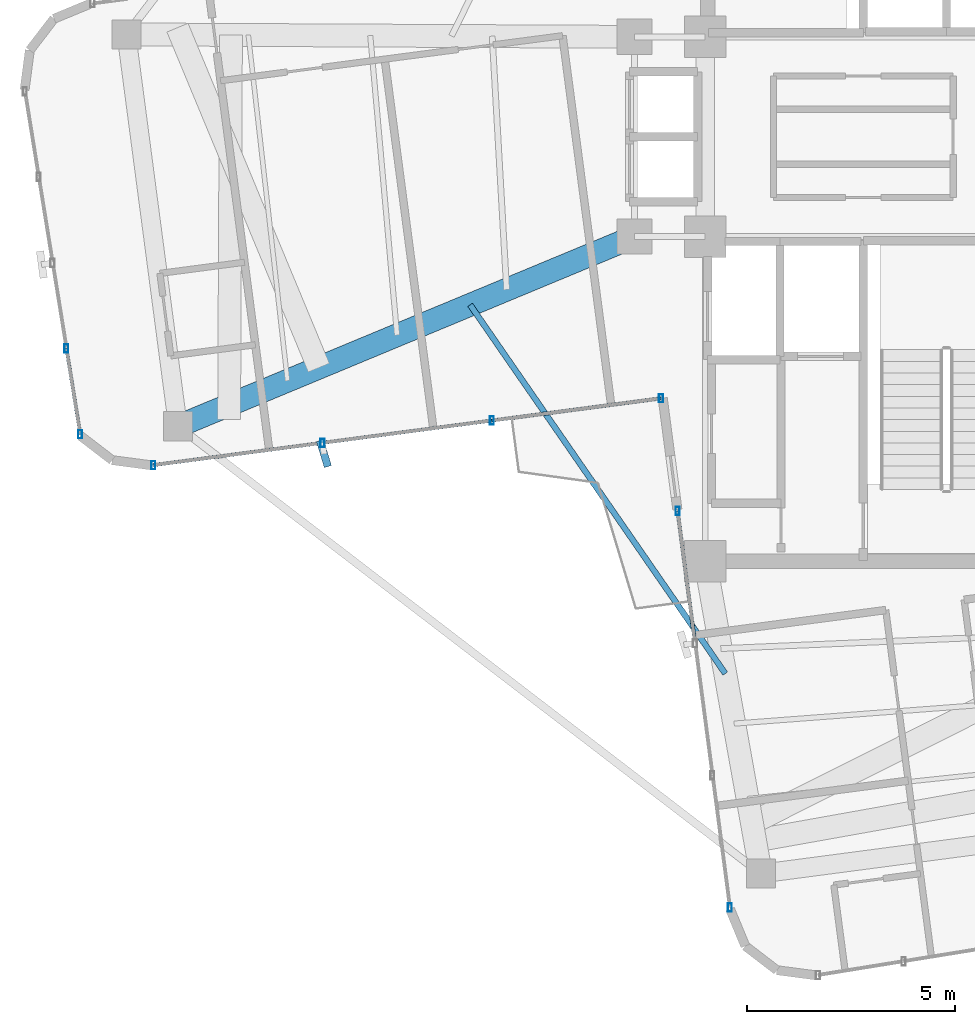
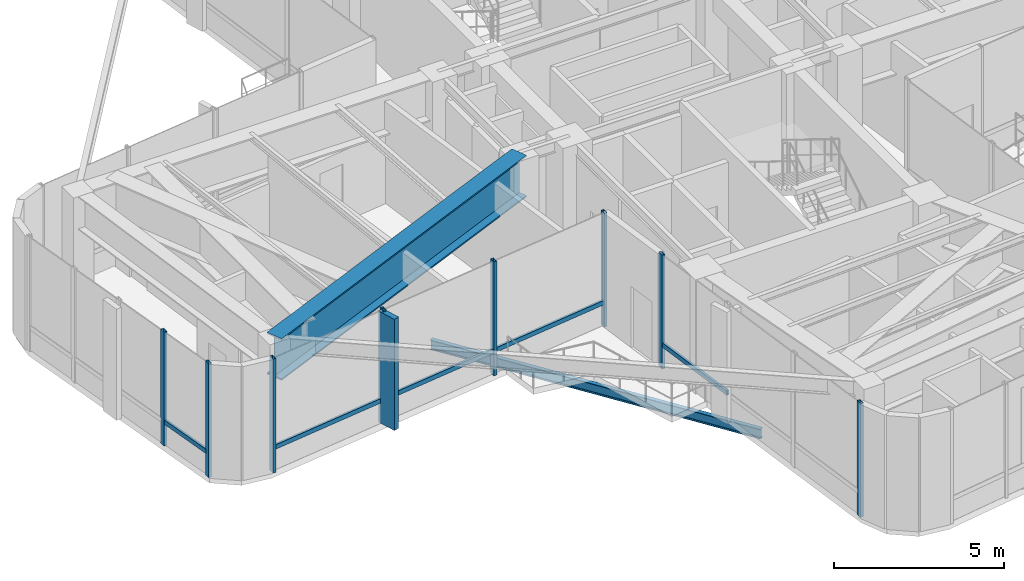
# One storey, part 2 of 18: 14 members, 2 beams, 3 elements without a shape of their own.
"""IFC4 building model written with IfcOpenShell, lengths in metres."""

from ifc_helpers import new_model, si_unit, direction, frame, origin, origin_2d, place, context, subcontext, project, spatial, rectangle, hollow_rectangle, i_section, extrude, source, transform, mapped, material, material_profile, profile_set, type_object, element, aggregate, save


model = new_model("IFC4")

# Units and contexts
model_context = context("Model", 3, precision=1e-05, world=origin(), true_north=direction((0.0, 1.0)))
body_context = subcontext(model_context, "Body", "Model", "MODEL_VIEW")
ifc_project = project(units=[si_unit("LENGTHUNIT", "METRE"), si_unit("AREAUNIT", "SQUARE_METRE"), si_unit("VOLUMEUNIT", "CUBIC_METRE"), si_unit("PLANEANGLEUNIT", "RADIAN"), si_unit("MASSUNIT", "GRAM", prefix="KILO")], contexts=[model_context])

# Site, building, storey
site_placement = place(None, origin())
site = spatial("IfcSite", under=ifc_project, at=site_placement, CompositionType="ELEMENT")
building_placement = place(site_placement, origin())
building = spatial("IfcBuilding", under=site, at=building_placement, Name="Sahyath Konkavel Grand Hotel", CompositionType="ELEMENT")
storey_placement = place(building_placement, frame((0.0, 0.0, 275.800048828125)))
storey = spatial("IfcBuildingStorey", under=building, at=storey_placement, Name="L77", CompositionType="ELEMENT", Elevation=275.800048828125)

# Beam
ifc_material_1 = material(Name="Steel E450", Category="steel")
ifc_material_profile_1 = material_profile(ifc_material_1, i_section(OverallWidth=0.550048828125, OverallDepth=1.5, WebThickness=0.028076171875, FlangeThickness=0.050048828125, at=origin_2d()), Name="BPG 1500x550")
ifc_profile_set_1 = profile_set([ifc_material_profile_1], Name="Steel E450")
beam_type_1 = type_object("IfcBeamType", Name="BM-BPG1500", PredefinedType="BEAM", material=ifc_profile_set_1)
shared_shape_1 = source(origin(), body_context, "Body", "SweptSolid", [
    extrude(i_section(OverallWidth=0.550048828125, OverallDepth=1.5, WebThickness=0.028076171875, FlangeThickness=0.050048828125, at=origin_2d()), origin(), (0.0, 0.0, 1.0), 11.882080078125),
])
beam_1_placement = place(storey_placement, frame((-5.5, -2.39990234375, 3.349853515625), z_axis=(-0.923435785797, -0.383752979804, 0.0), x_axis=(0.383752979804, -0.923435785797, 0.0)))
element("IfcBeam", 1, at=beam_1_placement, inside=storey, type_object=beam_type_1, Name="L77 Setback Transfer Girder WB", PredefinedType="BEAM", context=body_context, shape_type="MappedRepresentation", body=[
    mapped(shared_shape_1, transform((0.0, 0.0, 0.0), scale=1.0)),
])

# Curtain wall, members
ifc_material_2 = material(Name="Anodised Bronze Aluminium & Low-E Glazing", Category="aluminium")
curtain_wall_type = type_object("IfcCurtainWallType", Name="CW-ZONE4", PredefinedType="NOTDEFINED", material=ifc_material_2)
curtain_wall_1_placement = place(storey_placement, origin())
curtain_wall_1 = element("IfcCurtainWall", 2, at=curtain_wall_1_placement, inside=storey, type_object=curtain_wall_type, Name="L77 Unitised Curtain Wall F20", PredefinedType="NOTDEFINED")
ifc_material_3 = material(Name="Anodised Bronze Aluminium", Category="aluminium")
ifc_material_profile_2 = material_profile(ifc_material_3, hollow_rectangle(XDim=0.10009765625, YDim=0.199951171875, WallThickness=0.008056640625, at=origin_2d()), Name="RHS 200x100x8")
ifc_profile_set_2 = profile_set([ifc_material_profile_2], Name="Anodised Bronze Aluminium")
member_type_1 = type_object("IfcMemberType", Name="CW-MUL-200", PredefinedType="MULLION", material=ifc_profile_set_2)
shared_shape_2 = source(origin(), body_context, "Body", "SweptSolid", [
    extrude(hollow_rectangle(XDim=0.10009765625, YDim=0.199951171875, WallThickness=0.008056640625, at=origin_2d()), origin(), (0.0, 0.0, 1.0), 4.099853515625),
])
member_1_placement = place(storey_placement, frame((-19.15380859375, -5.09228515625, 0.0), z_axis=(0.0, 0.0, 1.0), x_axis=(1.0, 0.0, 0.0)))
member_1 = element("IfcMember", 3, at=member_1_placement, type_object=member_type_1, Name="L77 Curtain Wall Mullion F20-3", PredefinedType="MULLION", context=body_context, shape_type="MappedRepresentation", body=[
    mapped(shared_shape_2, transform((0.0, 0.0, 0.0), scale=1.0)),
])
member_2_placement = place(storey_placement, frame((-18.82080078125, -7.15283203125, 0.0), z_axis=(0.0, 0.0, 1.0), x_axis=(1.0, 0.0, 0.0)))
member_2 = element("IfcMember", 4, at=member_2_placement, type_object=member_type_1, Name="L77 Curtain Wall Mullion F20-4", PredefinedType="MULLION", context=body_context, shape_type="MappedRepresentation", body=[
    mapped(shared_shape_2, transform((0.0, 0.0, 0.0), scale=1.0)),
])

curtain_wall_2_placement = place(storey_placement, origin())
curtain_wall_2 = element("IfcCurtainWall", 5, at=curtain_wall_2_placement, inside=storey, type_object=curtain_wall_type, Name="L77 Unitised Curtain Wall F23", PredefinedType="NOTDEFINED")
member_3_placement = place(storey_placement, frame((-17.0654296875, -7.89501953125, 0.0), z_axis=(0.0, 0.0, 1.0), x_axis=(1.0, 0.0, 0.0)))
member_3 = element("IfcMember", 6, at=member_3_placement, type_object=member_type_1, Name="L77 Curtain Wall Mullion F23-0", PredefinedType="MULLION", context=body_context, shape_type="MappedRepresentation", body=[
    mapped(shared_shape_2, transform((0.0, 0.0, 0.0), scale=1.0)),
])
member_4_placement = place(storey_placement, frame((-12.997314453125, -7.359619140625, 0.0), z_axis=(0.0, 0.0, 1.0), x_axis=(1.0, 0.0, 0.0)))
member_4 = element("IfcMember", 7, at=member_4_placement, type_object=member_type_1, Name="L77 Curtain Wall Mullion F23-1", PredefinedType="MULLION", context=body_context, shape_type="MappedRepresentation", body=[
    mapped(shared_shape_2, transform((0.0, 0.0, 0.0), scale=1.0)),
])
member_5_placement = place(storey_placement, frame((-8.928955078125, -6.82373046875, 0.0), z_axis=(0.0, 0.0, 1.0), x_axis=(1.0, 0.0, 0.0)))
member_5 = element("IfcMember", 8, at=member_5_placement, type_object=member_type_1, Name="L77 Curtain Wall Mullion F23-2", PredefinedType="MULLION", context=body_context, shape_type="MappedRepresentation", body=[
    mapped(shared_shape_2, transform((0.0, 0.0, 0.0), scale=1.0)),
])
member_6_placement = place(storey_placement, frame((-4.86083984375, -6.2880859375, 0.0), z_axis=(0.0, 0.0, 1.0), x_axis=(1.0, 0.0, 0.0)))
member_6 = element("IfcMember", 9, at=member_6_placement, type_object=member_type_1, Name="L77 Curtain Wall Mullion F23-3", PredefinedType="MULLION", context=body_context, shape_type="MappedRepresentation", body=[
    mapped(shared_shape_2, transform((0.0, 0.0, 0.0), scale=1.0)),
])

curtain_wall_3_placement = place(storey_placement, origin())
curtain_wall_3 = element("IfcCurtainWall", 10, at=curtain_wall_3_placement, inside=storey, type_object=curtain_wall_type, Name="L77 Unitised Curtain Wall F24", PredefinedType="NOTDEFINED")
member_7_placement = place(storey_placement, frame((-4.46337890625, -8.99951171875, 0.0), z_axis=(0.0, 0.0, 1.0), x_axis=(1.0, 0.0, 0.0)))
member_7 = element("IfcMember", 11, at=member_7_placement, type_object=member_type_1, Name="L77 Curtain Wall Mullion F24-0", PredefinedType="MULLION", context=body_context, shape_type="MappedRepresentation", body=[
    mapped(shared_shape_2, transform((0.0, 0.0, 0.0), scale=1.0)),
])
member_8_placement = place(storey_placement, frame((-3.208984375, -18.52734375, 0.0), z_axis=(0.0, 0.0, 1.0), x_axis=(1.0, 0.0, 0.0)))
member_8 = element("IfcMember", 12, at=member_8_placement, type_object=member_type_1, Name="L77 Curtain Wall Mullion F24-3", PredefinedType="MULLION", context=body_context, shape_type="MappedRepresentation", body=[
    mapped(shared_shape_2, transform((0.0, 0.0, 0.0), scale=1.0)),
])

# Member
ifc_material_4 = material(Name="Warm Buff Sandstone Cladding on Concrete C50/60", Category="masonry")
ifc_material_profile_3 = material_profile(ifc_material_4, rectangle(XDim=0.179931640625, YDim=0.64990234375, at=origin_2d()), Name="FIN 180x650")
ifc_profile_set_3 = profile_set([ifc_material_profile_3], Name="Warm Buff Sandstone Cladding on Concrete C50/60")
member_type_2 = type_object("IfcMemberType", Name="FIN-SANDSTONE-650", PredefinedType="MULLION", material=ifc_profile_set_3)
shared_shape_3 = source(origin(), body_context, "Body", "SweptSolid", [
    extrude(rectangle(XDim=0.179931640625, YDim=0.64990234375, at=origin_2d()), origin(), (0.0, 0.0, 1.0), 4.0),
])
member_9_placement = place(storey_placement, frame((-12.96337890625, -7.6171875, 0.050048828125), z_axis=(0.0, 0.0, 1.0), x_axis=(0.956610402488, 0.291370104596, 0.0)))
member_9 = element("IfcMember", 13, at=member_9_placement, type_object=member_type_2, Name="L77 Sandstone Vertical Solar Fin FIN F23-1", PredefinedType="MULLION", context=body_context, shape_type="MappedRepresentation", body=[
    mapped(shared_shape_3, transform((0.0, 0.0, 0.0), scale=1.0)),
])

ifc_material_profile_4 = material_profile(ifc_material_3, hollow_rectangle(XDim=0.080078125, YDim=0.159912109375, WallThickness=0.006103515625, at=origin_2d()), Name="RHS 160x80x6")
ifc_profile_set_4 = profile_set([ifc_material_profile_4], Name="Anodised Bronze Aluminium")
member_type_3 = type_object("IfcMemberType", Name="CW-TRN-160", PredefinedType="USERDEFINED", material=ifc_profile_set_4)
shared_shape_4 = source(origin(), body_context, "Body", "SweptSolid", [
    extrude(hollow_rectangle(XDim=0.080078125, YDim=0.159912109375, WallThickness=0.006103515625, at=origin_2d()), origin(), (0.0, 0.0, 1.0), 3.203369140625),
])
member_10_placement = place(storey_placement, frame((-4.46337890625, -8.99951171875, 0.849853515625), z_axis=(0.130476198668, -0.991451441867, 0.0), x_axis=(0.991451441867, 0.130476198668, 0.0)))
member_10 = element("IfcMember", 14, at=member_10_placement, type_object=member_type_3, Name="L77 Curtain Wall Transom F24-0-spandrel", ObjectType="TRANSOM", PredefinedType="USERDEFINED", context=body_context, shape_type="MappedRepresentation", body=[
    mapped(shared_shape_4, transform((0.0, 0.0, 0.0), scale=1.0)),
])

aggregate(curtain_wall_3, [member_7, member_8, member_10])

shared_shape_5 = source(origin(), body_context, "Body", "SweptSolid", [
    extrude(hollow_rectangle(XDim=0.080078125, YDim=0.159912109375, WallThickness=0.006103515625, at=origin_2d()), origin(), (0.0, 0.0, 1.0), 2.08740234375),
])
member_11_placement = place(storey_placement, frame((-19.15380859375, -5.09228515625, 0.849853515625), z_axis=(0.159541334591, -0.98719124923, 0.0), x_axis=(0.98719124923, 0.159541334591, 0.0)))
member_11 = element("IfcMember", 15, at=member_11_placement, type_object=member_type_3, Name="L77 Curtain Wall Transom F20-3-spandrel", ObjectType="TRANSOM", PredefinedType="USERDEFINED", context=body_context, shape_type="MappedRepresentation", body=[
    mapped(shared_shape_5, transform((0.0, 0.0, 0.0), scale=1.0)),
])

aggregate(curtain_wall_1, [member_1, member_2, member_11])

shared_shape_6 = source(origin(), body_context, "Body", "SweptSolid", [
    extrude(hollow_rectangle(XDim=0.080078125, YDim=0.159912109375, WallThickness=0.006103515625, at=origin_2d()), origin(), (0.0, 0.0, 1.0), 4.103271484375),
])
member_12_placement = place(storey_placement, frame((-17.0654296875, -7.89501953125, 0.849853515625), z_axis=(0.991450447248, 0.130483756275, 0.0), x_axis=(-0.130483756275, 0.991450447248, 0.0)))
member_12 = element("IfcMember", 16, at=member_12_placement, type_object=member_type_3, Name="L77 Curtain Wall Transom F23-0-spandrel", ObjectType="TRANSOM", PredefinedType="USERDEFINED", context=body_context, shape_type="MappedRepresentation", body=[
    mapped(shared_shape_6, transform((0.0, 0.0, 0.0), scale=1.0)),
])

member_13_placement = place(storey_placement, frame((-8.928955078125, -6.82373046875, 0.849853515625), z_axis=(0.991442748161, 0.130542242661, 0.0), x_axis=(-0.130542242661, 0.991442748161, 0.0)))
member_13 = element("IfcMember", 17, at=member_13_placement, type_object=member_type_3, Name="L77 Curtain Wall Transom F23-2-spandrel", ObjectType="TRANSOM", PredefinedType="USERDEFINED", context=body_context, shape_type="MappedRepresentation", body=[
    mapped(shared_shape_6, transform((0.0, 0.0, 0.0), scale=1.0)),
])

shared_shape_7 = source(origin(), body_context, "Body", "SweptSolid", [
    extrude(hollow_rectangle(XDim=0.080078125, YDim=0.159912109375, WallThickness=0.006103515625, at=origin_2d()), origin(), (0.0, 0.0, 1.0), 4.103515625),
])
member_14_placement = place(storey_placement, frame((-12.997314453125, -7.359619140625, 0.849853515625), z_axis=(0.991436060505, 0.130593024052, 0.0), x_axis=(-0.130593024052, 0.991436060505, 0.0)))
member_14 = element("IfcMember", 18, at=member_14_placement, type_object=member_type_3, Name="L77 Curtain Wall Transom F23-1-spandrel", ObjectType="TRANSOM", PredefinedType="USERDEFINED", context=body_context, shape_type="MappedRepresentation", body=[
    mapped(shared_shape_7, transform((0.0, 0.0, 0.0), scale=1.0)),
])

aggregate(curtain_wall_2, [member_3, member_4, member_9, member_5, member_6, member_12, member_14, member_13])

# Beam
ifc_material_5 = material(Name="Steel E350", Category="steel")
ifc_material_profile_5 = material_profile(ifc_material_5, i_section(OverallWidth=0.139892578125, OverallDepth=0.35009765625, WebThickness=0.008056640625, FlangeThickness=0.01416015625, FilletRadius=0.013916015625, at=origin_2d()), Name="ISMB 350")
ifc_profile_set_5 = profile_set([ifc_material_profile_5], Name="Steel E350")
beam_type_2 = type_object("IfcBeamType", Name="BM-BALC-CANT", PredefinedType="BEAM", material=ifc_profile_set_5)
shared_shape_8 = source(origin(), body_context, "Body", "SweptSolid", [
    extrude(i_section(OverallWidth=0.139892578125, OverallDepth=0.35009765625, WebThickness=0.008056640625, FlangeThickness=0.01416015625, FilletRadius=0.013916015625, at=origin_2d()), origin(), (0.0, 0.0, 1.0), 10.778076171875),
])
beam_2_placement = place(storey_placement, frame((-9.4501953125, -4.04150390625, -0.4150390625), z_axis=(0.569013254295, -0.822328350743, 0.0), x_axis=(0.822328350743, 0.569013254295, 0.0)))
element("IfcBeam", 19, at=beam_2_placement, inside=storey, type_object=beam_type_2, Name="L77 Balcony Cantilever Support Beam SW", PredefinedType="BEAM", context=body_context, shape_type="MappedRepresentation", body=[
    mapped(shared_shape_8, transform((0.0, 0.0, 0.0), scale=1.0)),
])

save(model, "model.ifc")
